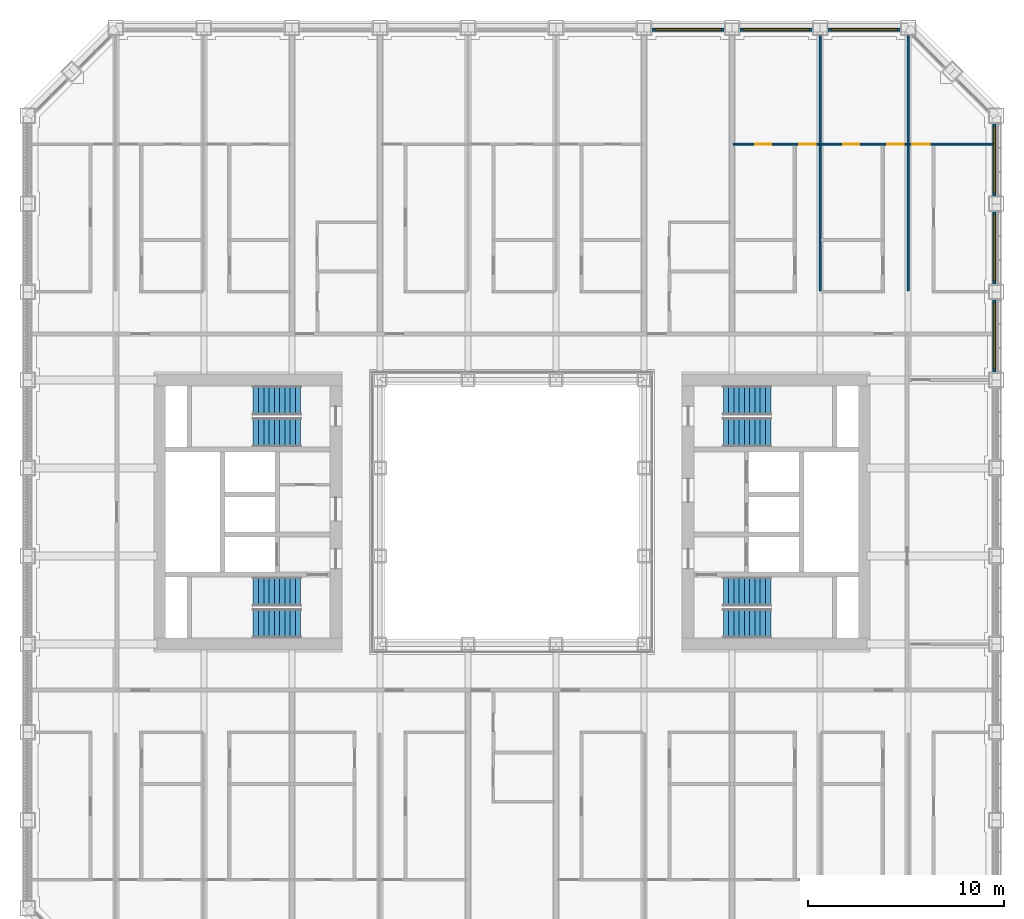
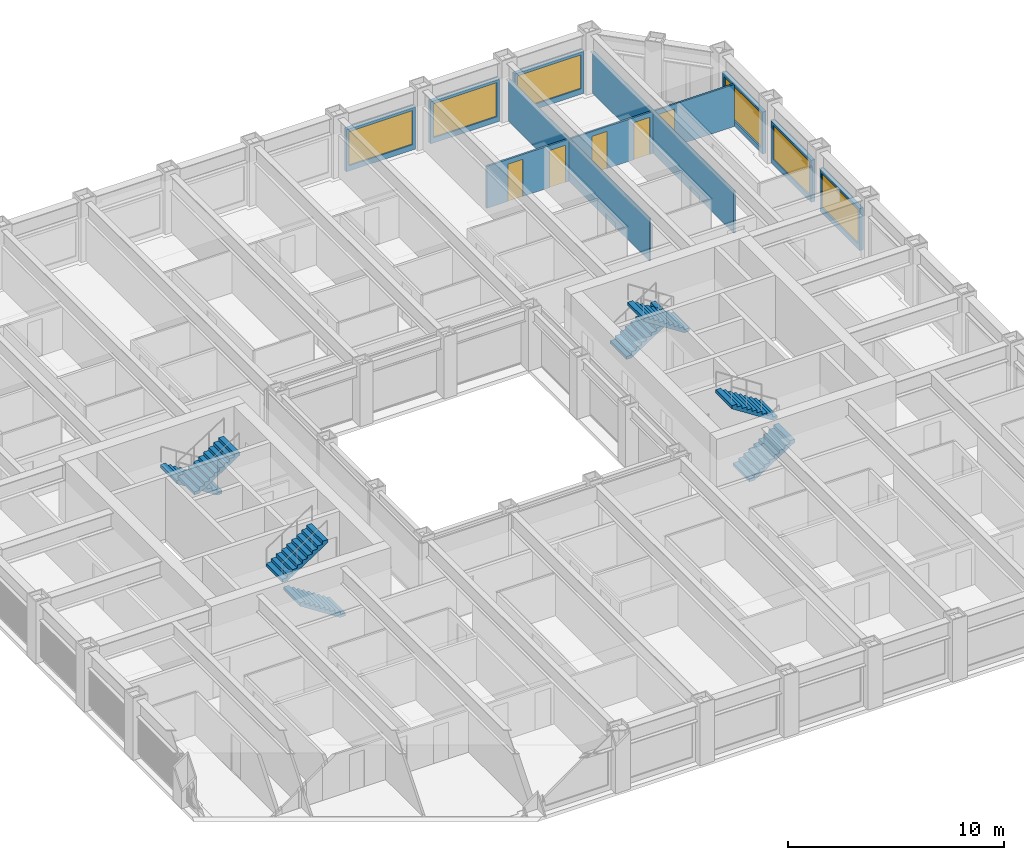
# One storey, part 15 of 20: 11 walls, 8 stair flights, 6 windows, 5 doors, 11 openings, 4 elements without a shape of their own.
"""IFC4 building model written with IfcOpenShell, lengths in metres."""

from ifc_helpers import new_model, si_unit, direction, frame, frame_2d, origin, place, context, subcontext, project, spatial, polyline, rectangle, outline, extrude, material, layer, layer_set, type_object, element, fill, aggregate, save


model = new_model("IFC4")

# Units and contexts
model_context = context("Model", 3, precision=1e-05, world=origin(), true_north=direction((0.0, 1.0)))
body_context = subcontext(model_context, "Body", "Model", "MODEL_VIEW")
ifc_project = project(units=[si_unit("LENGTHUNIT", "METRE"), si_unit("AREAUNIT", "SQUARE_METRE"), si_unit("VOLUMEUNIT", "CUBIC_METRE"), si_unit("PLANEANGLEUNIT", "RADIAN"), si_unit("MASSUNIT", "GRAM", prefix="KILO")], contexts=[model_context])

# Site, building, storey
site_placement = place(None, origin())
site = spatial("IfcSite", under=ifc_project, at=site_placement, CompositionType="ELEMENT")
building_placement = place(site_placement, origin())
building = spatial("IfcBuilding", under=site, at=building_placement, Name="Msasa Ring Tower", CompositionType="ELEMENT")
storey_placement = place(building_placement, frame((0.0, 0.0, 61.5)))
storey = spatial("IfcBuildingStorey", under=building, at=storey_placement, Name="L15", CompositionType="ELEMENT", Elevation=61.5)

# Wall, opening, window
ifc_material_1 = material(Name="Terracotta rainscreen on blockwork", Category="masonry")
ifc_layer_1 = layer(ifc_material_1, 0.199951171875)
ifc_layer_set_1 = layer_set([ifc_layer_1], Name="FW1 TERRACOTTA-LINED INFILL BAY WALL 200")
wall_type_1 = type_object("IfcWallType", Name="FW1 TERRACOTTA-LINED INFILL BAY WALL 200", PredefinedType="SOLIDWALL", material=ifc_layer_set_1)
wall_1_placement = place(storey_placement, frame((24.64990234375, 7.155029296875, 0.0), z_axis=(0.0, 0.0, 1.0), x_axis=(0.0, 1.0, 0.0)))
wall_1 = element("IfcWall", 1, at=wall_1_placement, inside=storey, type_object=wall_type_1, Name="Infill bay wall E L15 17", PredefinedType="SOLIDWALL", context=body_context, shape_type="SweptSolid", body=[
    extrude(rectangle(XDim=3.68994140625, YDim=0.199951171875, at=frame_2d((1.844970703125, 0.0))), origin(), (0.0, 0.0, 1.0), 2.37890625),
])
opening_1_placement = place(wall_1_placement, frame((0.14501953125, 0.0, 0.300048828125)))
opening_1 = element("IfcOpeningElement", 2, at=opening_1_placement, cuts=wall_1, Name="Opening WN1", PredefinedType="OPENING", context=body_context, shape_type="SweptSolid", body=[
    extrude(rectangle(XDim=3.39990234375, YDim=1.928955078125, at=frame_2d((1.699951171875, 0.96435546875))), frame((0.0, 0.10986328125, 0.0), z_axis=(0.0, -1.0, 0.0), x_axis=(1.0, 0.0, 0.0)), (0.0, 0.0, 1.0), 0.219970703125),
])
ifc_material_2 = material(Name="Aluminium frame with clear glass", Category="aluminium")
window_type = type_object("IfcWindowType", Name="WN1 RESIDENCE WINDOW 3400x1929", PartitioningType="SINGLE_PANEL", PredefinedType="WINDOW", material=ifc_material_2)
window_1_placement = place(opening_1_placement, origin())
window_1 = element("IfcWindow", 3, at=window_1_placement, inside=storey, type_object=window_type, Name="Window E L15 17", OverallHeight=1.928955078125, OverallWidth=3.39990234375, PartitioningType="SINGLE_PANEL", PredefinedType="WINDOW", context=body_context, shape_type="SweptSolid", body=[
    extrude(rectangle(XDim=3.39990234375, YDim=1.928955078125, at=frame_2d((1.699951171875, 0.96435546875))), frame((0.0, 0.030029296875, 0.0), z_axis=(0.0, -1.0, 0.0), x_axis=(1.0, 0.0, 0.0)), (0.0, 0.0, 1.0), 0.06005859375),
])
fill(opening_1, window_1)

wall_2_placement = place(storey_placement, frame((24.64990234375, 11.655029296875, 0.0), z_axis=(0.0, 0.0, 1.0), x_axis=(0.0, 1.0, 0.0)))
wall_2 = element("IfcWall", 4, at=wall_2_placement, inside=storey, type_object=wall_type_1, Name="Infill bay wall E L15 18", PredefinedType="SOLIDWALL", context=body_context, shape_type="SweptSolid", body=[
    extrude(rectangle(XDim=3.68994140625, YDim=0.199951171875, at=frame_2d((1.844970703125, 0.0))), origin(), (0.0, 0.0, 1.0), 2.37890625),
])
opening_2_placement = place(wall_2_placement, frame((0.14501953125, 0.0, 0.300048828125)))
opening_2 = element("IfcOpeningElement", 5, at=opening_2_placement, cuts=wall_2, Name="Opening WN1", PredefinedType="OPENING", context=body_context, shape_type="SweptSolid", body=[
    extrude(rectangle(XDim=3.39990234375, YDim=1.928955078125, at=frame_2d((1.699951171875, 0.96435546875))), frame((0.0, 0.10986328125, 0.0), z_axis=(0.0, -1.0, 0.0), x_axis=(1.0, 0.0, 0.0)), (0.0, 0.0, 1.0), 0.219970703125),
])
window_2_placement = place(opening_2_placement, origin())
window_2 = element("IfcWindow", 6, at=window_2_placement, inside=storey, type_object=window_type, Name="Window E L15 18", OverallHeight=1.928955078125, OverallWidth=3.39990234375, PartitioningType="SINGLE_PANEL", PredefinedType="WINDOW", context=body_context, shape_type="SweptSolid", body=[
    extrude(rectangle(XDim=3.39990234375, YDim=1.928955078125, at=frame_2d((1.699951171875, 0.96435546875))), frame((0.0, 0.030029296875, 0.0), z_axis=(0.0, -1.0, 0.0), x_axis=(1.0, 0.0, 0.0)), (0.0, 0.0, 1.0), 0.06005859375),
])
fill(opening_2, window_2)

wall_3_placement = place(storey_placement, frame((24.64990234375, 16.155029296875, 0.0), z_axis=(0.0, 0.0, 1.0), x_axis=(0.0, 1.0, 0.0)))
wall_3 = element("IfcWall", 7, at=wall_3_placement, inside=storey, type_object=wall_type_1, Name="Infill bay wall E L15 19", PredefinedType="SOLIDWALL", context=body_context, shape_type="SweptSolid", body=[
    extrude(rectangle(XDim=3.68994140625, YDim=0.199951171875, at=frame_2d((1.844970703125, 0.0))), origin(), (0.0, 0.0, 1.0), 2.37890625),
])
opening_3_placement = place(wall_3_placement, frame((0.14501953125, 0.0, 0.300048828125)))
opening_3 = element("IfcOpeningElement", 8, at=opening_3_placement, cuts=wall_3, Name="Opening WN1", PredefinedType="OPENING", context=body_context, shape_type="SweptSolid", body=[
    extrude(rectangle(XDim=3.39990234375, YDim=1.928955078125, at=frame_2d((1.699951171875, 0.96435546875))), frame((0.0, 0.10986328125, 0.0), z_axis=(0.0, -1.0, 0.0), x_axis=(1.0, 0.0, 0.0)), (0.0, 0.0, 1.0), 0.219970703125),
])
window_3_placement = place(opening_3_placement, origin())
window_3 = element("IfcWindow", 9, at=window_3_placement, inside=storey, type_object=window_type, Name="Window E L15 19", OverallHeight=1.928955078125, OverallWidth=3.39990234375, PartitioningType="SINGLE_PANEL", PredefinedType="WINDOW", context=body_context, shape_type="SweptSolid", body=[
    extrude(rectangle(XDim=3.39990234375, YDim=1.928955078125, at=frame_2d((1.699951171875, 0.96435546875))), frame((0.0, 0.030029296875, 0.0), z_axis=(0.0, -1.0, 0.0), x_axis=(1.0, 0.0, 0.0)), (0.0, 0.0, 1.0), 0.06005859375),
])
fill(opening_3, window_3)

wall_4_placement = place(storey_placement, frame((7.155029296875, 24.64990234375, 0.0), z_axis=(0.0, 0.0, 1.0), x_axis=(1.0, 0.0, 0.0)))
wall_4 = element("IfcWall", 10, at=wall_4_placement, inside=storey, type_object=wall_type_1, Name="Infill bay wall N L15 28", PredefinedType="SOLIDWALL", context=body_context, shape_type="SweptSolid", body=[
    extrude(rectangle(XDim=3.68994140625, YDim=0.199951171875, at=frame_2d((1.844970703125, 0.0))), origin(), (0.0, 0.0, 1.0), 2.37890625),
])
opening_4_placement = place(wall_4_placement, frame((0.14501953125, 0.0, 0.300048828125)))
opening_4 = element("IfcOpeningElement", 11, at=opening_4_placement, cuts=wall_4, Name="Opening WN1", PredefinedType="OPENING", context=body_context, shape_type="SweptSolid", body=[
    extrude(rectangle(XDim=3.39990234375, YDim=1.928955078125, at=frame_2d((1.699951171875, 0.96435546875))), frame((0.0, 0.10986328125, 0.0), z_axis=(0.0, -1.0, 0.0), x_axis=(1.0, 0.0, 0.0)), (0.0, 0.0, 1.0), 0.219970703125),
])
window_4_placement = place(opening_4_placement, origin())
window_4 = element("IfcWindow", 12, at=window_4_placement, inside=storey, type_object=window_type, Name="Window N L15 28", OverallHeight=1.928955078125, OverallWidth=3.39990234375, PartitioningType="SINGLE_PANEL", PredefinedType="WINDOW", context=body_context, shape_type="SweptSolid", body=[
    extrude(rectangle(XDim=3.39990234375, YDim=1.928955078125, at=frame_2d((1.699951171875, 0.96435546875))), frame((0.0, 0.030029296875, 0.0), z_axis=(0.0, -1.0, 0.0), x_axis=(1.0, 0.0, 0.0)), (0.0, 0.0, 1.0), 0.06005859375),
])
fill(opening_4, window_4)

wall_5_placement = place(storey_placement, frame((11.655029296875, 24.64990234375, 0.0), z_axis=(0.0, 0.0, 1.0), x_axis=(1.0, 0.0, 0.0)))
wall_5 = element("IfcWall", 13, at=wall_5_placement, inside=storey, type_object=wall_type_1, Name="Infill bay wall N L15 29", PredefinedType="SOLIDWALL", context=body_context, shape_type="SweptSolid", body=[
    extrude(rectangle(XDim=3.68994140625, YDim=0.199951171875, at=frame_2d((1.844970703125, 0.0))), origin(), (0.0, 0.0, 1.0), 2.37890625),
])
opening_5_placement = place(wall_5_placement, frame((0.14501953125, 0.0, 0.300048828125)))
opening_5 = element("IfcOpeningElement", 14, at=opening_5_placement, cuts=wall_5, Name="Opening WN1", PredefinedType="OPENING", context=body_context, shape_type="SweptSolid", body=[
    extrude(rectangle(XDim=3.39990234375, YDim=1.928955078125, at=frame_2d((1.699951171875, 0.96435546875))), frame((0.0, 0.10986328125, 0.0), z_axis=(0.0, -1.0, 0.0), x_axis=(1.0, 0.0, 0.0)), (0.0, 0.0, 1.0), 0.219970703125),
])
window_5_placement = place(opening_5_placement, origin())
window_5 = element("IfcWindow", 15, at=window_5_placement, inside=storey, type_object=window_type, Name="Window N L15 29", OverallHeight=1.928955078125, OverallWidth=3.39990234375, PartitioningType="SINGLE_PANEL", PredefinedType="WINDOW", context=body_context, shape_type="SweptSolid", body=[
    extrude(rectangle(XDim=3.39990234375, YDim=1.928955078125, at=frame_2d((1.699951171875, 0.96435546875))), frame((0.0, 0.030029296875, 0.0), z_axis=(0.0, -1.0, 0.0), x_axis=(1.0, 0.0, 0.0)), (0.0, 0.0, 1.0), 0.06005859375),
])
fill(opening_5, window_5)

wall_6_placement = place(storey_placement, frame((16.155029296875, 24.64990234375, 0.0), z_axis=(0.0, 0.0, 1.0), x_axis=(1.0, 0.0, 0.0)))
wall_6 = element("IfcWall", 16, at=wall_6_placement, inside=storey, type_object=wall_type_1, Name="Infill bay wall N L15 30", PredefinedType="SOLIDWALL", context=body_context, shape_type="SweptSolid", body=[
    extrude(rectangle(XDim=3.68994140625, YDim=0.199951171875, at=frame_2d((1.844970703125, 0.0))), origin(), (0.0, 0.0, 1.0), 2.37890625),
])
opening_6_placement = place(wall_6_placement, frame((0.14501953125, 0.0, 0.300048828125)))
opening_6 = element("IfcOpeningElement", 17, at=opening_6_placement, cuts=wall_6, Name="Opening WN1", PredefinedType="OPENING", context=body_context, shape_type="SweptSolid", body=[
    extrude(rectangle(XDim=3.39990234375, YDim=1.928955078125, at=frame_2d((1.699951171875, 0.96435546875))), frame((0.0, 0.10986328125, 0.0), z_axis=(0.0, -1.0, 0.0), x_axis=(1.0, 0.0, 0.0)), (0.0, 0.0, 1.0), 0.219970703125),
])
window_6_placement = place(opening_6_placement, origin())
window_6 = element("IfcWindow", 18, at=window_6_placement, inside=storey, type_object=window_type, Name="Window N L15 30", OverallHeight=1.928955078125, OverallWidth=3.39990234375, PartitioningType="SINGLE_PANEL", PredefinedType="WINDOW", context=body_context, shape_type="SweptSolid", body=[
    extrude(rectangle(XDim=3.39990234375, YDim=1.928955078125, at=frame_2d((1.699951171875, 0.96435546875))), frame((0.0, 0.030029296875, 0.0), z_axis=(0.0, -1.0, 0.0), x_axis=(1.0, 0.0, 0.0)), (0.0, 0.0, 1.0), 0.06005859375),
])
fill(opening_6, window_6)

# Wall, opening, door
ifc_material_3 = material(Name="Gypsum board on steel studs", Category="steel")
ifc_layer_2 = layer(ifc_material_3, 0.10009765625)
ifc_layer_set_2 = layer_set([ifc_layer_2], Name="PT2 STUD PARTITION 100")
wall_type_2 = type_object("IfcWallType", Name="PT2 STUD PARTITION 100", PredefinedType="PARTITIONING", material=ifc_layer_set_2)
wall_7_placement = place(storey_placement, frame((20.300048828125, 18.800048828125, 0.0), z_axis=(0.0, 0.0, 1.0), x_axis=(1.0, 0.0, 0.0)))
wall_7 = element("IfcWall", 19, at=wall_7_placement, inside=storey, type_object=wall_type_2, Name="Partition L15-UN04SY0", PredefinedType="PARTITIONING", context=body_context, shape_type="SweptSolid", body=[
    extrude(rectangle(XDim=4.25, YDim=0.10009765625, at=frame_2d((2.125, 0.0))), origin(), (0.0, 0.0, 1.0), 2.373291015625),
])
opening_7_placement = place(wall_7_placement, frame((0.14990234375, 0.0, 0.0)))
opening_7 = element("IfcOpeningElement", 20, at=opening_7_placement, cuts=wall_7, Name="Opening RD-015", PredefinedType="OPENING", context=body_context, shape_type="SweptSolid", body=[
    extrude(rectangle(XDim=0.89990234375, YDim=2.10009765625, at=frame_2d((0.449951171875, 1.050048828125))), frame((0.0, 0.06005859375, 0.0), z_axis=(0.0, -1.0, 0.0), x_axis=(1.0, 0.0, 0.0)), (0.0, 0.0, 1.0), 0.1201171875),
])
ifc_material_4 = material(Name="Timber door leaf in a steel frame", Category="steel")
door_type_1 = type_object("IfcDoorType", Name="D22 INTERNAL HALL DOOR 900x2100", OperationType="SINGLE_SWING_LEFT", PredefinedType="DOOR", material=ifc_material_4)
door_1_placement = place(opening_7_placement, origin())
door_1 = element("IfcDoor", 21, at=door_1_placement, inside=storey, type_object=door_type_1, Name="Door L15-UN04L", OperationType="SINGLE_SWING_LEFT", OverallHeight=2.10009765625, OverallWidth=0.89990234375, PredefinedType="DOOR", context=body_context, shape_type="SweptSolid", body=[
    extrude(rectangle(XDim=0.89990234375, YDim=2.10009765625, at=frame_2d((0.449951171875, 1.050048828125))), frame((0.0, 0.02490234375, 0.0), z_axis=(0.0, -1.0, 0.0), x_axis=(1.0, 0.0, 0.0)), (0.0, 0.0, 1.0), 0.050048828125),
])
fill(opening_7, door_1)

# Wall
wall_8_placement = place(storey_placement, frame((20.25, 11.300048828125, 0.0), z_axis=(0.0, 0.0, 1.0), x_axis=(0.0, 1.0, 0.0)))
element("IfcWall", 22, at=wall_8_placement, inside=storey, type_object=wall_type_2, Name="Partition L15-UN04P1", PredefinedType="PARTITIONING", context=body_context, shape_type="SweptSolid", body=[
    extrude(rectangle(XDim=13.050048828125, YDim=0.10009765625, at=frame_2d((6.52490234375, 0.0))), origin(), (0.0, 0.0, 1.0), 2.373291015625),
])

# Wall, openings, doors
wall_9_placement = place(storey_placement, frame((15.800048828125, 18.800048828125, 0.0), z_axis=(0.0, 0.0, 1.0), x_axis=(1.0, 0.0, 0.0)))
wall_9 = element("IfcWall", 23, at=wall_9_placement, inside=storey, type_object=wall_type_2, Name="Partition L15-UN04SY1", PredefinedType="PARTITIONING", context=body_context, shape_type="SweptSolid", body=[
    extrude(rectangle(XDim=4.39990234375, YDim=0.10009765625, at=frame_2d((2.199951171875, 0.0))), origin(), (0.0, 0.0, 1.0), 2.373291015625),
])
opening_8_placement = place(wall_9_placement, frame((3.375, 0.0, 0.0)))
opening_8 = element("IfcOpeningElement", 24, at=opening_8_placement, cuts=wall_9, Name="Opening RD-014", PredefinedType="OPENING", context=body_context, shape_type="SweptSolid", body=[
    extrude(rectangle(XDim=0.85009765625, YDim=2.10009765625, at=frame_2d((0.425048828125, 1.050048828125))), frame((0.0, 0.06005859375, 0.0), z_axis=(0.0, -1.0, 0.0), x_axis=(1.0, 0.0, 0.0)), (0.0, 0.0, 1.0), 0.1201171875),
])
opening_9_placement = place(wall_9_placement, frame((1.139892578125, 0.0, 0.0)))
opening_9 = element("IfcOpeningElement", 25, at=opening_9_placement, cuts=wall_9, Name="Opening RD-013", PredefinedType="OPENING", context=body_context, shape_type="SweptSolid", body=[
    extrude(rectangle(XDim=0.800048828125, YDim=2.10009765625, at=frame_2d((0.39990234375, 1.050048828125))), frame((0.0, 0.06005859375, 0.0), z_axis=(0.0, -1.0, 0.0), x_axis=(1.0, 0.0, 0.0)), (0.0, 0.0, 1.0), 0.1201171875),
])
ifc_material_5 = material(Name="Timber door leaf in a steel frame", Category="steel")
door_type_2 = type_object("IfcDoorType", Name="D14 BEDROOM DOOR 850x2100", OperationType="SINGLE_SWING_LEFT", PredefinedType="DOOR", material=ifc_material_5)
door_2_placement = place(opening_8_placement, origin())
door_2 = element("IfcDoor", 26, at=door_2_placement, inside=storey, type_object=door_type_2, Name="Door L15-UN04R1", OperationType="SINGLE_SWING_RIGHT", OverallHeight=2.10009765625, OverallWidth=0.85009765625, PredefinedType="DOOR", context=body_context, shape_type="SweptSolid", body=[
    extrude(rectangle(XDim=0.85009765625, YDim=2.10009765625, at=frame_2d((0.425048828125, 1.050048828125))), frame((0.0, 0.02490234375, 0.0), z_axis=(0.0, -1.0, 0.0), x_axis=(1.0, 0.0, 0.0)), (0.0, 0.0, 1.0), 0.050048828125),
])
fill(opening_8, door_2)
ifc_material_6 = material(Name="Timber door leaf in a steel frame", Category="steel")
door_type_3 = type_object("IfcDoorType", Name="D60 DRESSING ROOM DOOR 800x2100", OperationType="SINGLE_SWING_LEFT", PredefinedType="DOOR", material=ifc_material_6)
door_3_placement = place(opening_9_placement, origin())
door_3 = element("IfcDoor", 27, at=door_3_placement, inside=storey, type_object=door_type_3, Name="Door L15-UN04W1", OperationType="SINGLE_SWING_LEFT", OverallHeight=2.10009765625, OverallWidth=0.800048828125, PredefinedType="DOOR", context=body_context, shape_type="SweptSolid", body=[
    extrude(rectangle(XDim=0.800048828125, YDim=2.10009765625, at=frame_2d((0.39990234375, 1.050048828125))), frame((0.0, 0.02490234375, 0.0), z_axis=(0.0, -1.0, 0.0), x_axis=(1.0, 0.0, 0.0)), (0.0, 0.0, 1.0), 0.050048828125),
])
fill(opening_9, door_3)

# Wall
wall_10_placement = place(storey_placement, frame((15.75, 11.300048828125, 0.0), z_axis=(0.0, 0.0, 1.0), x_axis=(0.0, 1.0, 0.0)))
element("IfcWall", 28, at=wall_10_placement, inside=storey, type_object=wall_type_2, Name="Partition L15-UN04P2", PredefinedType="PARTITIONING", context=body_context, shape_type="SweptSolid", body=[
    extrude(rectangle(XDim=13.050048828125, YDim=0.10009765625, at=frame_2d((6.52490234375, 0.0))), origin(), (0.0, 0.0, 1.0), 2.373291015625),
])

# Wall, openings, doors
wall_11_placement = place(storey_placement, frame((11.31005859375, 18.800048828125, 0.0), z_axis=(0.0, 0.0, 1.0), x_axis=(1.0, 0.0, 0.0)))
wall_11 = element("IfcWall", 29, at=wall_11_placement, inside=storey, type_object=wall_type_2, Name="Partition L15-UN04SY2", PredefinedType="PARTITIONING", context=body_context, shape_type="SweptSolid", body=[
    extrude(rectangle(XDim=4.389892578125, YDim=0.10009765625, at=frame_2d((2.19482421875, 0.0))), origin(), (0.0, 0.0, 1.0), 2.373291015625),
])
opening_10_placement = place(wall_11_placement, frame((3.364990234375, 0.0, 0.0)))
opening_10 = element("IfcOpeningElement", 30, at=opening_10_placement, cuts=wall_11, Name="Opening RD-012", PredefinedType="OPENING", context=body_context, shape_type="SweptSolid", body=[
    extrude(rectangle(XDim=0.85009765625, YDim=2.10009765625, at=frame_2d((0.425048828125, 1.050048828125))), frame((0.0, 0.06005859375, 0.0), z_axis=(0.0, -1.0, 0.0), x_axis=(1.0, 0.0, 0.0)), (0.0, 0.0, 1.0), 0.1201171875),
])
opening_11_placement = place(wall_11_placement, frame((1.1298828125, 0.0, 0.0)))
opening_11 = element("IfcOpeningElement", 31, at=opening_11_placement, cuts=wall_11, Name="Opening RD-011", PredefinedType="OPENING", context=body_context, shape_type="SweptSolid", body=[
    extrude(rectangle(XDim=0.800048828125, YDim=2.10009765625, at=frame_2d((0.39990234375, 1.050048828125))), frame((0.0, 0.06005859375, 0.0), z_axis=(0.0, -1.0, 0.0), x_axis=(1.0, 0.0, 0.0)), (0.0, 0.0, 1.0), 0.1201171875),
])
door_4_placement = place(opening_10_placement, origin())
door_4 = element("IfcDoor", 32, at=door_4_placement, inside=storey, type_object=door_type_2, Name="Door L15-UN04R2", OperationType="SINGLE_SWING_RIGHT", OverallHeight=2.10009765625, OverallWidth=0.85009765625, PredefinedType="DOOR", context=body_context, shape_type="SweptSolid", body=[
    extrude(rectangle(XDim=0.85009765625, YDim=2.10009765625, at=frame_2d((0.425048828125, 1.050048828125))), frame((0.0, 0.02490234375, 0.0), z_axis=(0.0, -1.0, 0.0), x_axis=(1.0, 0.0, 0.0)), (0.0, 0.0, 1.0), 0.050048828125),
])
fill(opening_10, door_4)
door_5_placement = place(opening_11_placement, origin())
door_5 = element("IfcDoor", 33, at=door_5_placement, inside=storey, type_object=door_type_3, Name="Door L15-UN04W2", OperationType="SINGLE_SWING_LEFT", OverallHeight=2.10009765625, OverallWidth=0.800048828125, PredefinedType="DOOR", context=body_context, shape_type="SweptSolid", body=[
    extrude(rectangle(XDim=0.800048828125, YDim=2.10009765625, at=frame_2d((0.39990234375, 1.050048828125))), frame((0.0, 0.02490234375, 0.0), z_axis=(0.0, -1.0, 0.0), x_axis=(1.0, 0.0, 0.0)), (0.0, 0.0, 1.0), 0.050048828125),
])
fill(opening_11, door_5)

# Stair, stair flights
ifc_material_7 = material(Name="Concrete C40/50", Category="concrete")
stair_type = type_object("IfcStairType", Name="STC CORE STAIR 20 RISERS 175", PredefinedType="HALF_TURN_STAIR", material=ifc_material_7)
stair_1_placement = place(storey_placement, origin())
stair_1 = element("IfcStair", 34, at=stair_1_placement, inside=storey, type_object=stair_type, Name="Core stair SEA L15", PredefinedType="HALF_TURN_STAIR")
ifc_material_8 = material(Name="Concrete C40/50", Category="concrete")
stair_flight_type = type_object("IfcStairFlightType", Name="ST12 CORE STAIR FLIGHT 1500 10 RISERS 175", PredefinedType="STRAIGHT", material=ifc_material_8)
stair_flight_1_placement = place(storey_placement, frame((10.800048828125, -5.699951171875, 0.0), z_axis=(0.0, 0.0, 1.0), x_axis=(1.0, 0.0, 0.0)))
stair_flight_1 = element("IfcStairFlight", 35, at=stair_flight_1_placement, type_object=stair_flight_type, Name="SEA flight 1", NumberOfRisers=10, NumberOfTreads=9, PredefinedType="STRAIGHT", RiserHeight=0.175, TreadLength=0.27, context=body_context, shape_type="SweptSolid", body=[
    extrude(outline(polyline([(0.0, 0.0), (0.0, 0.175048828125), (0.27001953125, 0.175048828125), (0.27001953125, 0.35009765625), (0.5400390625, 0.35009765625), (0.5400390625, 0.52490234375), (0.81005859375, 0.52490234375), (0.81005859375, 0.699951171875), (1.080078125, 0.699951171875), (1.080078125, 0.875), (1.35009765625, 0.875), (1.35009765625, 1.050048828125), (1.6201171875, 1.050048828125), (1.6201171875, 1.22509765625), (1.889892578125, 1.22509765625), (1.889892578125, 1.39990234375), (2.159912109375, 1.39990234375), (2.159912109375, 1.574951171875), (2.429931640625, 1.574951171875), (2.429931640625, 1.75), (2.429931640625, 1.396484375), (0.275634765625, 0.0), (0.0, 0.0)])), frame((0.0, 0.75, 0.0), z_axis=(0.0, -1.0, 0.0), x_axis=(1.0, 0.0, 0.0)), (0.0, 0.0, 1.0), 1.5),
])
stair_flight_2_placement = place(storey_placement, frame((13.22998046875, -4.074951171875, 1.75), z_axis=(0.0, 0.0, 1.0), x_axis=(-1.0, 0.0, 0.0)))
stair_flight_2 = element("IfcStairFlight", 36, at=stair_flight_2_placement, type_object=stair_flight_type, Name="SEA flight 2", NumberOfRisers=10, NumberOfTreads=9, PredefinedType="STRAIGHT", RiserHeight=0.175, TreadLength=0.27, context=body_context, shape_type="SweptSolid", body=[
    extrude(outline(polyline([(0.0, 0.0), (0.0, 0.175048828125), (0.27001953125, 0.175048828125), (0.27001953125, 0.35009765625), (0.5400390625, 0.35009765625), (0.5400390625, 0.52490234375), (0.81005859375, 0.52490234375), (0.81005859375, 0.699951171875), (1.080078125, 0.699951171875), (1.080078125, 0.875), (1.35009765625, 0.875), (1.35009765625, 1.050048828125), (1.6201171875, 1.050048828125), (1.6201171875, 1.22509765625), (1.889892578125, 1.22509765625), (1.889892578125, 1.39990234375), (2.159912109375, 1.39990234375), (2.159912109375, 1.574951171875), (2.429931640625, 1.574951171875), (2.429931640625, 1.75), (2.429931640625, 1.396484375), (0.275634765625, 0.0), (0.0, 0.0)])), frame((0.0, 0.75, 0.0), z_axis=(0.0, -1.0, 0.0), x_axis=(1.0, 0.0, 0.0)), (0.0, 0.0, 1.0), 1.5),
])
aggregate(stair_1, [stair_flight_1, stair_flight_2])

stair_2_placement = place(storey_placement, origin())
stair_2 = element("IfcStair", 37, at=stair_2_placement, inside=storey, type_object=stair_type, Name="Core stair SEB L15", PredefinedType="HALF_TURN_STAIR")
stair_flight_3_placement = place(storey_placement, frame((10.800048828125, 5.699951171875, 0.0), z_axis=(0.0, 0.0, 1.0), x_axis=(1.0, 0.0, 0.0)))
stair_flight_3 = element("IfcStairFlight", 38, at=stair_flight_3_placement, type_object=stair_flight_type, Name="SEB flight 1", NumberOfRisers=10, NumberOfTreads=9, PredefinedType="STRAIGHT", RiserHeight=0.175, TreadLength=0.27, context=body_context, shape_type="SweptSolid", body=[
    extrude(outline(polyline([(0.0, 0.0), (0.0, 0.175048828125), (0.27001953125, 0.175048828125), (0.27001953125, 0.35009765625), (0.5400390625, 0.35009765625), (0.5400390625, 0.52490234375), (0.81005859375, 0.52490234375), (0.81005859375, 0.699951171875), (1.080078125, 0.699951171875), (1.080078125, 0.875), (1.35009765625, 0.875), (1.35009765625, 1.050048828125), (1.6201171875, 1.050048828125), (1.6201171875, 1.22509765625), (1.889892578125, 1.22509765625), (1.889892578125, 1.39990234375), (2.159912109375, 1.39990234375), (2.159912109375, 1.574951171875), (2.429931640625, 1.574951171875), (2.429931640625, 1.75), (2.429931640625, 1.396484375), (0.275634765625, 0.0), (0.0, 0.0)])), frame((0.0, 0.75, 0.0), z_axis=(0.0, -1.0, 0.0), x_axis=(1.0, 0.0, 0.0)), (0.0, 0.0, 1.0), 1.5),
])
stair_flight_4_placement = place(storey_placement, frame((13.22998046875, 4.074951171875, 1.75), z_axis=(0.0, 0.0, 1.0), x_axis=(-1.0, 0.0, 0.0)))
stair_flight_4 = element("IfcStairFlight", 39, at=stair_flight_4_placement, type_object=stair_flight_type, Name="SEB flight 2", NumberOfRisers=10, NumberOfTreads=9, PredefinedType="STRAIGHT", RiserHeight=0.175, TreadLength=0.27, context=body_context, shape_type="SweptSolid", body=[
    extrude(outline(polyline([(0.0, 0.0), (0.0, 0.175048828125), (0.27001953125, 0.175048828125), (0.27001953125, 0.35009765625), (0.5400390625, 0.35009765625), (0.5400390625, 0.52490234375), (0.81005859375, 0.52490234375), (0.81005859375, 0.699951171875), (1.080078125, 0.699951171875), (1.080078125, 0.875), (1.35009765625, 0.875), (1.35009765625, 1.050048828125), (1.6201171875, 1.050048828125), (1.6201171875, 1.22509765625), (1.889892578125, 1.22509765625), (1.889892578125, 1.39990234375), (2.159912109375, 1.39990234375), (2.159912109375, 1.574951171875), (2.429931640625, 1.574951171875), (2.429931640625, 1.75), (2.429931640625, 1.396484375), (0.275634765625, 0.0), (0.0, 0.0)])), frame((0.0, 0.75, 0.0), z_axis=(0.0, -1.0, 0.0), x_axis=(1.0, 0.0, 0.0)), (0.0, 0.0, 1.0), 1.5),
])
aggregate(stair_2, [stair_flight_3, stair_flight_4])

stair_3_placement = place(storey_placement, origin())
stair_3 = element("IfcStair", 40, at=stair_3_placement, inside=storey, type_object=stair_type, Name="Core stair SWA L15", PredefinedType="HALF_TURN_STAIR")
stair_flight_5_placement = place(storey_placement, frame((-10.800048828125, -5.699951171875, 0.0), z_axis=(0.0, 0.0, 1.0), x_axis=(-1.0, 0.0, 0.0)))
stair_flight_5 = element("IfcStairFlight", 41, at=stair_flight_5_placement, type_object=stair_flight_type, Name="SWA flight 1", NumberOfRisers=10, NumberOfTreads=9, PredefinedType="STRAIGHT", RiserHeight=0.175, TreadLength=0.27, context=body_context, shape_type="SweptSolid", body=[
    extrude(outline(polyline([(0.0, 0.0), (0.0, 0.175048828125), (0.27001953125, 0.175048828125), (0.27001953125, 0.35009765625), (0.5400390625, 0.35009765625), (0.5400390625, 0.52490234375), (0.81005859375, 0.52490234375), (0.81005859375, 0.699951171875), (1.080078125, 0.699951171875), (1.080078125, 0.875), (1.35009765625, 0.875), (1.35009765625, 1.050048828125), (1.6201171875, 1.050048828125), (1.6201171875, 1.22509765625), (1.889892578125, 1.22509765625), (1.889892578125, 1.39990234375), (2.159912109375, 1.39990234375), (2.159912109375, 1.574951171875), (2.429931640625, 1.574951171875), (2.429931640625, 1.75), (2.429931640625, 1.396484375), (0.275634765625, 0.0), (0.0, 0.0)])), frame((0.0, 0.75, 0.0), z_axis=(0.0, -1.0, 0.0), x_axis=(1.0, 0.0, 0.0)), (0.0, 0.0, 1.0), 1.5),
])
stair_flight_6_placement = place(storey_placement, frame((-13.22998046875, -4.074951171875, 1.75), z_axis=(0.0, 0.0, 1.0), x_axis=(1.0, 0.0, 0.0)))
stair_flight_6 = element("IfcStairFlight", 42, at=stair_flight_6_placement, type_object=stair_flight_type, Name="SWA flight 2", NumberOfRisers=10, NumberOfTreads=9, PredefinedType="STRAIGHT", RiserHeight=0.175, TreadLength=0.27, context=body_context, shape_type="SweptSolid", body=[
    extrude(outline(polyline([(0.0, 0.0), (0.0, 0.175048828125), (0.27001953125, 0.175048828125), (0.27001953125, 0.35009765625), (0.5400390625, 0.35009765625), (0.5400390625, 0.52490234375), (0.81005859375, 0.52490234375), (0.81005859375, 0.699951171875), (1.080078125, 0.699951171875), (1.080078125, 0.875), (1.35009765625, 0.875), (1.35009765625, 1.050048828125), (1.6201171875, 1.050048828125), (1.6201171875, 1.22509765625), (1.889892578125, 1.22509765625), (1.889892578125, 1.39990234375), (2.159912109375, 1.39990234375), (2.159912109375, 1.574951171875), (2.429931640625, 1.574951171875), (2.429931640625, 1.75), (2.429931640625, 1.396484375), (0.275634765625, 0.0), (0.0, 0.0)])), frame((0.0, 0.75, 0.0), z_axis=(0.0, -1.0, 0.0), x_axis=(1.0, 0.0, 0.0)), (0.0, 0.0, 1.0), 1.5),
])
aggregate(stair_3, [stair_flight_5, stair_flight_6])

stair_4_placement = place(storey_placement, origin())
stair_4 = element("IfcStair", 43, at=stair_4_placement, inside=storey, type_object=stair_type, Name="Core stair SWB L15", PredefinedType="HALF_TURN_STAIR")
stair_flight_7_placement = place(storey_placement, frame((-10.800048828125, 5.699951171875, 0.0), z_axis=(0.0, 0.0, 1.0), x_axis=(-1.0, 0.0, 0.0)))
stair_flight_7 = element("IfcStairFlight", 44, at=stair_flight_7_placement, type_object=stair_flight_type, Name="SWB flight 1", NumberOfRisers=10, NumberOfTreads=9, PredefinedType="STRAIGHT", RiserHeight=0.175, TreadLength=0.27, context=body_context, shape_type="SweptSolid", body=[
    extrude(outline(polyline([(0.0, 0.0), (0.0, 0.175048828125), (0.27001953125, 0.175048828125), (0.27001953125, 0.35009765625), (0.5400390625, 0.35009765625), (0.5400390625, 0.52490234375), (0.81005859375, 0.52490234375), (0.81005859375, 0.699951171875), (1.080078125, 0.699951171875), (1.080078125, 0.875), (1.35009765625, 0.875), (1.35009765625, 1.050048828125), (1.6201171875, 1.050048828125), (1.6201171875, 1.22509765625), (1.889892578125, 1.22509765625), (1.889892578125, 1.39990234375), (2.159912109375, 1.39990234375), (2.159912109375, 1.574951171875), (2.429931640625, 1.574951171875), (2.429931640625, 1.75), (2.429931640625, 1.396484375), (0.275634765625, 0.0), (0.0, 0.0)])), frame((0.0, 0.75, 0.0), z_axis=(0.0, -1.0, 0.0), x_axis=(1.0, 0.0, 0.0)), (0.0, 0.0, 1.0), 1.5),
])
stair_flight_8_placement = place(storey_placement, frame((-13.22998046875, 4.074951171875, 1.75), z_axis=(0.0, 0.0, 1.0), x_axis=(1.0, 0.0, 0.0)))
stair_flight_8 = element("IfcStairFlight", 45, at=stair_flight_8_placement, type_object=stair_flight_type, Name="SWB flight 2", NumberOfRisers=10, NumberOfTreads=9, PredefinedType="STRAIGHT", RiserHeight=0.175, TreadLength=0.27, context=body_context, shape_type="SweptSolid", body=[
    extrude(outline(polyline([(0.0, 0.0), (0.0, 0.175048828125), (0.27001953125, 0.175048828125), (0.27001953125, 0.35009765625), (0.5400390625, 0.35009765625), (0.5400390625, 0.52490234375), (0.81005859375, 0.52490234375), (0.81005859375, 0.699951171875), (1.080078125, 0.699951171875), (1.080078125, 0.875), (1.35009765625, 0.875), (1.35009765625, 1.050048828125), (1.6201171875, 1.050048828125), (1.6201171875, 1.22509765625), (1.889892578125, 1.22509765625), (1.889892578125, 1.39990234375), (2.159912109375, 1.39990234375), (2.159912109375, 1.574951171875), (2.429931640625, 1.574951171875), (2.429931640625, 1.75), (2.429931640625, 1.396484375), (0.275634765625, 0.0), (0.0, 0.0)])), frame((0.0, 0.75, 0.0), z_axis=(0.0, -1.0, 0.0), x_axis=(1.0, 0.0, 0.0)), (0.0, 0.0, 1.0), 1.5),
])
aggregate(stair_4, [stair_flight_7, stair_flight_8])

save(model, "model.ifc")
